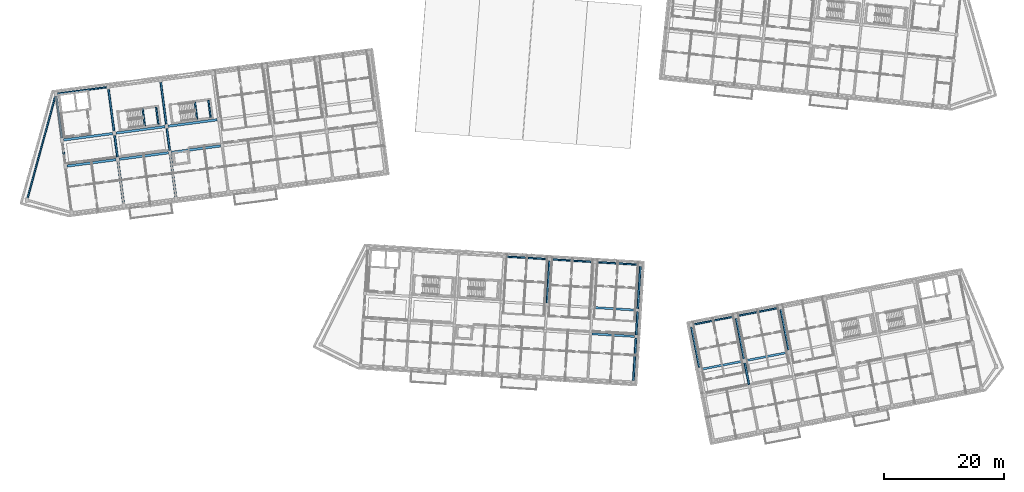
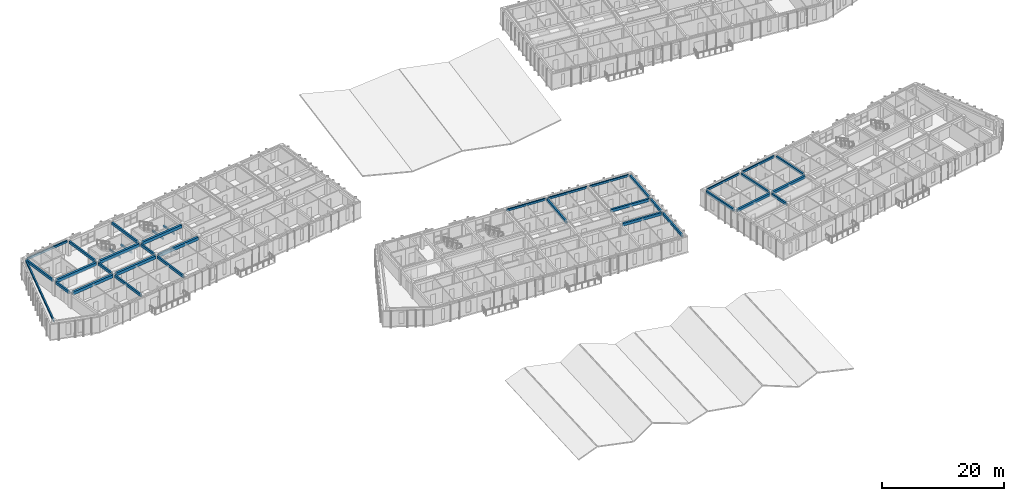
# One storey, part 5 of 74: 37 beams.
"""IFC4 building model written with IfcOpenShell, lengths in metres."""

from ifc_helpers import new_model, si_unit, direction, frame, origin, origin_2d, place, context, subcontext, project, spatial, rectangle, extrude, material, material_profile, profile_set, type_object, element, save


model = new_model("IFC4")

# Units and contexts
model_context = context("Model", 3, precision=1e-05, world=origin(), true_north=direction((0.0, 1.0)))
body_context = subcontext(model_context, "Body", "Model", "MODEL_VIEW")
ifc_project = project(units=[si_unit("LENGTHUNIT", "METRE"), si_unit("AREAUNIT", "SQUARE_METRE"), si_unit("VOLUMEUNIT", "CUBIC_METRE"), si_unit("PLANEANGLEUNIT", "RADIAN"), si_unit("MASSUNIT", "GRAM", prefix="KILO")], contexts=[model_context])

# Site, building, storey
site_placement = place(None, origin())
site = spatial("IfcSite", under=ifc_project, at=site_placement, CompositionType="ELEMENT")
building_placement = place(site_placement, origin())
building = spatial("IfcBuilding", under=site, at=building_placement, Name="Kestramere Prow Commons", CompositionType="ELEMENT")
storey_placement = place(building_placement, frame((0.0, 0.0, 11.64990234375)))
storey = spatial("IfcBuildingStorey", under=building, at=storey_placement, Name="L03", CompositionType="ELEMENT", Elevation=11.64990234375)

# Beams
ifc_material_1 = material(Name="Precast concrete C40/50", Category="concrete")
ifc_material_profile_1 = material_profile(ifc_material_1, rectangle(XDim=0.39990234375, YDim=0.60009765625, at=origin_2d()), Name="PC-BM 400x600")
ifc_profile_set_1 = profile_set([ifc_material_profile_1], Name="Precast concrete C40/50")
beam_type_1 = type_object("IfcBeamType", Name="BM-A1 PC-BM 400x600", PredefinedType="BEAM", material=ifc_profile_set_1)
for number, where, z_axis, x_axis, name in (
    (1, (10.45458984375, 79.76904296875, 2.7001953125), (0.991443917843, 0.130533358852, 0.0), (-0.130533358852, 0.991443917843, 0.0), "Block A L03 Longitudinal Beam 2-1"),
    (2, (19.17919921875, 80.917724609375, 2.7001953125), (0.991443917843, 0.130533358852, 0.0), (-0.130533358852, 0.991443917843, 0.0), "Block A L03 Longitudinal Beam 2-2"),
    (3, (27.904052734375, 82.06640625, 2.7001953125), (0.991443917843, 0.130533358852, 0.0), (-0.130533358852, 0.991443917843, 0.0), "Block A L03 Longitudinal Beam 2-3"),
    (4, (9.880126953125, 84.131591796875, 2.7001953125), (0.991447747213, 0.130504270221, 0.0), (-0.130504270221, 0.991447747213, 0.0), "Block A L03 Longitudinal Beam 3-1"),
    (5, (18.60498046875, 85.2802734375, 2.7001953125), (0.991447747213, 0.130504270221, 0.0), (-0.130504270221, 0.991447747213, 0.0), "Block A L03 Longitudinal Beam 3-2"),
    (6, (27.32958984375, 86.4287109375, 2.7001953125), (0.991443917843, 0.130533358852, 0.0), (-0.130533358852, 0.991443917843, 0.0), "Block A L03 Longitudinal Beam 3-3"),
):
    element("IfcBeam", number, at=place(storey_placement, frame(where, z_axis=z_axis, x_axis=x_axis)), inside=storey, type_object=beam_type_1, Name=name, PredefinedType="BEAM", context=body_context, shape_type="SweptSolid", body=[
        extrude(rectangle(XDim=0.39990234375, YDim=0.60009765625, at=origin_2d()), origin(), (0.0, 0.0, 1.0), 8.25),
    ])
ifc_material_profile_2 = material_profile(ifc_material_1, rectangle(XDim=0.35009765625, YDim=0.550048828125, at=origin_2d()), Name="PC-BM 350x550")
ifc_profile_set_2 = profile_set([ifc_material_profile_2], Name="Precast concrete C40/50")
beam_type_2 = type_object("IfcBeamType", Name="BM-C1 PC-BM 350x550", PredefinedType="BEAM", material=ifc_profile_set_2)
for number, where, z_axis, x_axis, name in (
    (7, (98.142578125, 51.750732421875, 2.72509765625), (0.99813569621, -0.061033859059, 0.0), (0.061033859059, 0.99813569621, 0.0), "Block C L03 Longitudinal Beam 2-6"),
    (8, (98.4111328125, 56.142578125, 2.72509765625), (0.998133600873, -0.061068116134, 0.0), (0.061068116134, 0.998133600873, 0.0), "Block C L03 Longitudinal Beam 3-6"),
):
    element("IfcBeam", number, at=place(storey_placement, frame(where, z_axis=z_axis, x_axis=x_axis)), inside=storey, type_object=beam_type_2, Name=name, PredefinedType="BEAM", context=body_context, shape_type="SweptSolid", body=[
        extrude(rectangle(XDim=0.35009765625, YDim=0.550048828125, at=origin_2d()), origin(), (0.0, 0.0, 1.0), 7.10009765625),
    ])
ifc_material_profile_3 = material_profile(ifc_material_1, rectangle(XDim=0.35009765625, YDim=0.5, at=origin_2d()), Name="PC-BM 350x500")
ifc_profile_set_3 = profile_set([ifc_material_profile_3], Name="Precast concrete C40/50")
beam_type_3 = type_object("IfcBeamType", Name="BM-D1 PC-BM 350x500", PredefinedType="BEAM", material=ifc_profile_set_3)
for number, where, z_axis, x_axis, name in (
    (9, (116.355712890625, 45.8271484375, 2.75), (0.981627020401, 0.190809834175, 0.0), (-0.190809834175, 0.981627020401, 0.0), "Block D L03 Longitudinal Beam 3-1"),
    (10, (123.816162109375, 47.27734375, 2.75), (0.981627020401, 0.190809834175, 0.0), (-0.190809834175, 0.981627020401, 0.0), "Block D L03 Longitudinal Beam 3-2"),
):
    element("IfcBeam", number, at=place(storey_placement, frame(where, z_axis=z_axis, x_axis=x_axis)), inside=storey, type_object=beam_type_3, Name=name, PredefinedType="BEAM", context=body_context, shape_type="SweptSolid", body=[
        extrude(rectangle(XDim=0.35009765625, YDim=0.5, at=origin_2d()), origin(), (0.0, 0.0, 1.0), 7.099853515625),
    ])
ifc_material_2 = material(Name="Concrete C40/50", Category="concrete")
ifc_material_profile_4 = material_profile(ifc_material_2, rectangle(XDim=0.25, YDim=0.35009765625, at=origin_2d()), Name="PC-BM 250x350")
ifc_profile_set_4 = profile_set([ifc_material_profile_4], Name="Concrete C40/50")
beam_type_4 = type_object("IfcBeamType", Name="BM-ST-TRIM", PredefinedType="BEAM", material=ifc_profile_set_4)
for number, where, z_axis, x_axis, name in (
    (11, (23.4384765625, 86.451171875, 1.25), (-0.130520071219, 0.9914456672, 0.0), (-0.9914456672, -0.130520071219, 0.0), "ST-A1 L03 Landing Trimmer Beam 1A"),
    (12, (25.698974609375, 86.748779296875, 1.25), (-0.130520071219, 0.9914456672, 0.0), (-0.9914456672, -0.130520071219, 0.0), "ST-A1 L03 Landing Trimmer Beam 1B"),
):
    element("IfcBeam", number, at=place(storey_placement, frame(where, z_axis=z_axis, x_axis=x_axis)), inside=storey, type_object=beam_type_4, Name=name, PredefinedType="BEAM", context=body_context, shape_type="SweptSolid", body=[
        extrude(rectangle(XDim=0.25, YDim=0.35009765625, at=origin_2d()), origin(), (0.0, 0.0, 1.0), 2.889892578125),
    ])
for number, where, z_axis, x_axis, name in (
    (13, (32.1630859375, 87.599609375, 1.25), (-0.130509140242, 0.99144710616, 0.0), (-0.99144710616, -0.130509140242, 0.0), "ST-A2 L03 Landing Trimmer Beam 1A"),
    (14, (34.423583984375, 87.897216796875, 1.25), (-0.130509140242, 0.99144710616, 0.0), (-0.99144710616, -0.130509140242, 0.0), "ST-A2 L03 Landing Trimmer Beam 1B"),
):
    element("IfcBeam", number, at=place(storey_placement, frame(where, z_axis=z_axis, x_axis=x_axis)), inside=storey, type_object=beam_type_4, Name=name, PredefinedType="BEAM", context=body_context, shape_type="SweptSolid", body=[
        extrude(rectangle(XDim=0.25, YDim=0.35009765625, at=origin_2d()), origin(), (0.0, 0.0, 1.0), 2.89013671875),
    ])
ifc_material_profile_5 = material_profile(ifc_material_1, rectangle(XDim=0.300048828125, YDim=0.5, at=origin_2d()), Name="PC-BM 300x500")
ifc_profile_set_5 = profile_set([ifc_material_profile_5], Name="Precast concrete C40/50")
beam_type_5 = type_object("IfcBeamType", Name="BM-TIE-01 PC-BM 300x500", PredefinedType="BEAM", material=ifc_profile_set_5)
beam_1_placement = place(storey_placement, frame((10.133056640625, 80.10498046875, 2.75), z_axis=(-0.13056005306, 0.991440402921, 0.0), x_axis=(-0.991440402921, -0.13056005306, 0.0)))
element("IfcBeam", 15, at=beam_1_placement, inside=storey, type_object=beam_type_5, Name="Block A L03 Transverse Beam 1-2", PredefinedType="BEAM", context=body_context, shape_type="SweptSolid", body=[
    extrude(rectangle(XDim=0.300048828125, YDim=0.5, at=origin_2d()), origin(), (0.0, 0.0, 1.0), 3.650146484375),
])
for number, where, z_axis, x_axis, name in (
    (16, (9.55859375, 84.467529296875, 2.75), (-0.130523490966, 0.991445216997, 0.0), (-0.991445216997, -0.130523490966, 0.0), "Block A L03 Transverse Beam 1-3"),
    (17, (19.875732421875, 73.5205078125, 2.75), (-0.130523490966, 0.991445216997, 0.0), (-0.991445216997, -0.130523490966, 0.0), "Block A L03 Transverse Beam 2-1"),
):
    element("IfcBeam", number, at=place(storey_placement, frame(where, z_axis=z_axis, x_axis=x_axis)), inside=storey, type_object=beam_type_5, Name=name, PredefinedType="BEAM", context=body_context, shape_type="SweptSolid", body=[
        extrude(rectangle(XDim=0.300048828125, YDim=0.5, at=origin_2d()), origin(), (0.0, 0.0, 1.0), 7.0498046875),
    ])
beam_2_placement = place(storey_placement, frame((18.857666015625, 81.253662109375, 2.75), z_axis=(-0.130494307047, 0.991449058615, 0.0), x_axis=(-0.991449058615, -0.130494307047, 0.0)))
element("IfcBeam", 18, at=beam_2_placement, inside=storey, type_object=beam_type_5, Name="Block A L03 Transverse Beam 2-2", PredefinedType="BEAM", context=body_context, shape_type="SweptSolid", body=[
    extrude(rectangle(XDim=0.300048828125, YDim=0.5, at=origin_2d()), origin(), (0.0, 0.0, 1.0), 3.650146484375),
])
for number, where, z_axis, x_axis, name in (
    (19, (18.283447265625, 85.615966796875, 2.75), (-0.130553049113, 0.991441325227, 0.0), (-0.991441325227, -0.130553049113, 0.0), "Block A L03 Transverse Beam 2-3"),
    (20, (28.6005859375, 74.6689453125, 2.75), (-0.130553049113, 0.991441325227, 0.0), (-0.991441325227, -0.130553049113, 0.0), "Block A L03 Transverse Beam 3-1"),
):
    element("IfcBeam", number, at=place(storey_placement, frame(where, z_axis=z_axis, x_axis=x_axis)), inside=storey, type_object=beam_type_5, Name=name, PredefinedType="BEAM", context=body_context, shape_type="SweptSolid", body=[
        extrude(rectangle(XDim=0.300048828125, YDim=0.5, at=origin_2d()), origin(), (0.0, 0.0, 1.0), 7.050048828125),
    ])
beam_3_placement = place(storey_placement, frame((27.582275390625, 82.40234375, 2.75), z_axis=(-0.130502961205, 0.991447919518, 0.0), x_axis=(-0.991447919518, -0.130502961205, 0.0)))
element("IfcBeam", 21, at=beam_3_placement, inside=storey, type_object=beam_type_5, Name="Block A L03 Transverse Beam 3-2", PredefinedType="BEAM", context=body_context, shape_type="SweptSolid", body=[
    extrude(rectangle(XDim=0.300048828125, YDim=0.5, at=origin_2d()), origin(), (0.0, 0.0, 1.0), 3.64990234375),
])
beam_4_placement = place(storey_placement, frame((27.008056640625, 86.7646484375, 2.75), z_axis=(-0.130519009654, 0.99144580695, 0.0), x_axis=(-0.99144580695, -0.130519009654, 0.0)))
element("IfcBeam", 22, at=beam_4_placement, inside=storey, type_object=beam_type_5, Name="Block A L03 Transverse Beam 3-3", PredefinedType="BEAM", context=body_context, shape_type="SweptSolid", body=[
    extrude(rectangle(XDim=0.300048828125, YDim=0.5, at=origin_2d()), origin(), (0.0, 0.0, 1.0), 7.050048828125),
])
for number, where, z_axis, x_axis, name in (
    (23, (90.591064453125, 56.871337890625, 2.75), (0.061070212127, 0.998133472633, 0.0), (-0.998133472633, 0.061070212127, 0.0), "Block C L03 Transverse Beam 5-3"),
    (24, (105.0302734375, 43.9658203125, 2.75), (0.061035953884, 0.998135568114, 0.0), (-0.998135568114, 0.061035953884, 0.0), "Block C L03 Transverse Beam 7-1"),
):
    element("IfcBeam", number, at=place(storey_placement, frame(where, z_axis=z_axis, x_axis=x_axis)), inside=storey, type_object=beam_type_5, Name=name, PredefinedType="BEAM", context=body_context, shape_type="SweptSolid", body=[
        extrude(rectangle(XDim=0.300048828125, YDim=0.5, at=origin_2d()), origin(), (0.0, 0.0, 1.0), 7.099853515625),
    ])
beam_5_placement = place(storey_placement, frame((105.494140625, 51.551513671875, 2.75), z_axis=(0.061033697925, 0.998135706063, 0.0), x_axis=(-0.998135706063, 0.061033697925, 0.0)))
element("IfcBeam", 25, at=beam_5_placement, inside=storey, type_object=beam_type_5, Name="Block C L03 Transverse Beam 7-2", PredefinedType="BEAM", context=body_context, shape_type="SweptSolid", body=[
    extrude(rectangle(XDim=0.300048828125, YDim=0.5, at=origin_2d()), origin(), (0.0, 0.0, 1.0), 3.900146484375),
])
beam_6_placement = place(storey_placement, frame((105.7626953125, 55.943359375, 2.75), z_axis=(0.061070212127, 0.998133472633, 0.0), x_axis=(-0.998133472633, 0.061070212127, 0.0)))
element("IfcBeam", 26, at=beam_6_placement, inside=storey, type_object=beam_type_5, Name="Block C L03 Transverse Beam 7-3", PredefinedType="BEAM", context=body_context, shape_type="SweptSolid", body=[
    extrude(rectangle(XDim=0.300048828125, YDim=0.5, at=origin_2d()), origin(), (0.0, 0.0, 1.0), 7.099853515625),
])
beam_7_placement = place(storey_placement, frame((116.04345703125, 46.123046875, 2.75), z_axis=(-0.190819465253, 0.981625148252, 0.0), x_axis=(-0.981625148252, -0.190819465253, 0.0)))
element("IfcBeam", 27, at=beam_7_placement, inside=storey, type_object=beam_type_5, Name="Block D L03 Transverse Beam 1-3", PredefinedType="BEAM", context=body_context, shape_type="SweptSolid", body=[
    extrude(rectangle(XDim=0.300048828125, YDim=0.5, at=origin_2d()), origin(), (0.0, 0.0, 1.0), 6.89990234375),
])
beam_8_placement = place(storey_placement, frame((124.343505859375, 43.254150390625, 2.75), z_axis=(-0.190834335095, 0.981622257566, 0.0), x_axis=(-0.981622257566, -0.190834335095, 0.0)))
element("IfcBeam", 28, at=beam_8_placement, inside=storey, type_object=beam_type_5, Name="Block D L03 Transverse Beam 2-2", PredefinedType="BEAM", context=body_context, shape_type="SweptSolid", body=[
    extrude(rectangle(XDim=0.300048828125, YDim=0.5, at=origin_2d()), origin(), (0.0, 0.0, 1.0), 3.699951171875),
])
for number, where, z_axis, x_axis, name in (
    (29, (123.50390625, 47.5732421875, 2.75), (-0.190819465253, 0.981625148252, 0.0), (-0.981625148252, -0.190819465253, 0.0), "Block D L03 Transverse Beam 2-3"),
    (30, (130.96435546875, 49.0234375, 2.75), (-0.190819465253, 0.981625148252, 0.0), (-0.981625148252, -0.190819465253, 0.0), "Block D L03 Transverse Beam 3-3"),
):
    element("IfcBeam", number, at=place(storey_placement, frame(where, z_axis=z_axis, x_axis=x_axis)), inside=storey, type_object=beam_type_5, Name=name, PredefinedType="BEAM", context=body_context, shape_type="SweptSolid", body=[
        extrude(rectangle(XDim=0.300048828125, YDim=0.5, at=origin_2d()), origin(), (0.0, 0.0, 1.0), 6.89990234375),
    ])
ifc_material_profile_6 = material_profile(ifc_material_1, rectangle(XDim=0.25, YDim=0.39990234375, at=origin_2d()), Name="PC-SP 250x400")
ifc_profile_set_6 = profile_set([ifc_material_profile_6], Name="Precast concrete C40/50")
beam_type_6 = type_object("IfcBeamType", Name="SP-EXT-01 PC-SP 250x400", PredefinedType="SPANDREL", material=ifc_profile_set_6)
beam_9_placement = place(storey_placement, frame((8.515869140625, 91.558837890625, 2.800048828125), z_axis=(-0.262653591278, -0.964890196338, 0.0), x_axis=(0.964890196338, -0.262653591278, 0.0)))
element("IfcBeam", 31, at=beam_9_placement, inside=storey, type_object=beam_type_6, Name="Block A L03 Prow Facet Beam N", PredefinedType="SPANDREL", context=body_context, shape_type="SweptSolid", body=[
    extrude(rectangle(XDim=0.25, YDim=0.39990234375, at=origin_2d()), origin(), (0.0, 0.0, 1.0), 17.81689453125),
])
beam_10_placement = place(storey_placement, frame((8.862060546875, 91.86474609375, 2.800048828125), z_axis=(0.991443917843, 0.130533358852, 0.0), x_axis=(-0.130533358852, 0.991443917843, 0.0)))
element("IfcBeam", 32, at=beam_10_placement, inside=storey, type_object=beam_type_6, Name="Block A L03 Longitudinal Beam 4-1", PredefinedType="SPANDREL", context=body_context, shape_type="SweptSolid", body=[
    extrude(rectangle(XDim=0.25, YDim=0.39990234375, at=origin_2d()), origin(), (0.0, 0.0, 1.0), 8.25),
])
beam_11_placement = place(storey_placement, frame((83.70361328125, 64.65625, 2.800048828125), z_axis=(0.998135568114, -0.061035953884, 0.0), x_axis=(0.061035953884, 0.998135568114, 0.0)))
element("IfcBeam", 33, at=beam_11_placement, inside=storey, type_object=beam_type_6, Name="Block C L03 Longitudinal Beam 4-4", PredefinedType="SPANDREL", context=body_context, shape_type="SweptSolid", body=[
    extrude(rectangle(XDim=0.25, YDim=0.39990234375, at=origin_2d()), origin(), (0.0, 0.0, 1.0), 7.099853515625),
])
beam_12_placement = place(storey_placement, frame((91.289306640625, 64.1923828125, 2.800048828125), z_axis=(0.998133600873, -0.061068116134, 0.0), x_axis=(0.061068116134, 0.998133600873, 0.0)))
element("IfcBeam", 34, at=beam_12_placement, inside=storey, type_object=beam_type_6, Name="Block C L03 Longitudinal Beam 4-5", PredefinedType="SPANDREL", context=body_context, shape_type="SweptSolid", body=[
    extrude(rectangle(XDim=0.25, YDim=0.39990234375, at=origin_2d()), origin(), (0.0, 0.0, 1.0), 7.10009765625),
])
for number, where, z_axis, x_axis, name in (
    (35, (98.875244140625, 63.728271484375, 2.800048828125), (0.998135568114, -0.061035953884, 0.0), (0.061035953884, 0.998135568114, 0.0), "Block C L03 Longitudinal Beam 4-6"),
    (36, (114.905517578125, 53.28759765625, 2.800048828125), (0.981627020401, 0.190809834175, 0.0), (-0.190809834175, 0.981627020401, 0.0), "Block D L03 Longitudinal Beam 4-1"),
    (37, (122.365966796875, 54.73779296875, 2.800048828125), (0.981627020401, 0.190809834175, 0.0), (-0.190809834175, 0.981627020401, 0.0), "Block D L03 Longitudinal Beam 4-2"),
):
    element("IfcBeam", number, at=place(storey_placement, frame(where, z_axis=z_axis, x_axis=x_axis)), inside=storey, type_object=beam_type_6, Name=name, PredefinedType="SPANDREL", context=body_context, shape_type="SweptSolid", body=[
        extrude(rectangle(XDim=0.25, YDim=0.39990234375, at=origin_2d()), origin(), (0.0, 0.0, 1.0), 7.099853515625),
    ])

save(model, "model.ifc")
